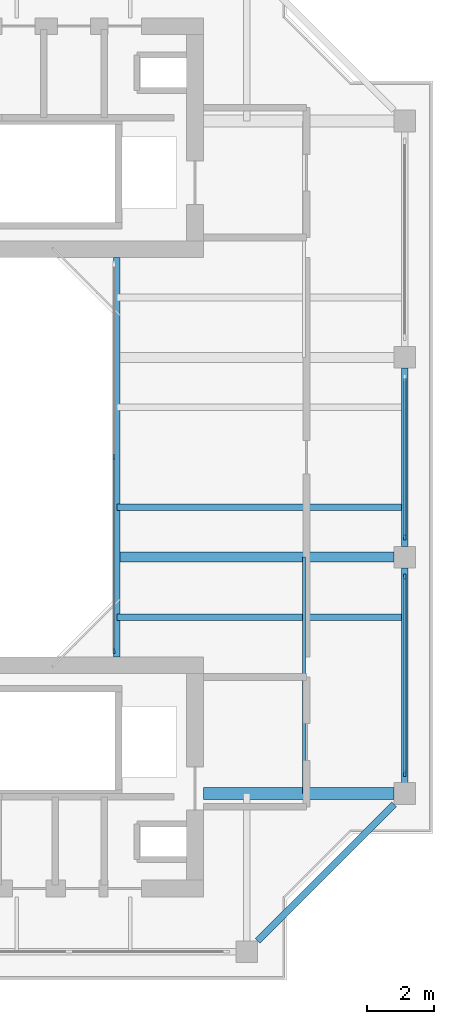
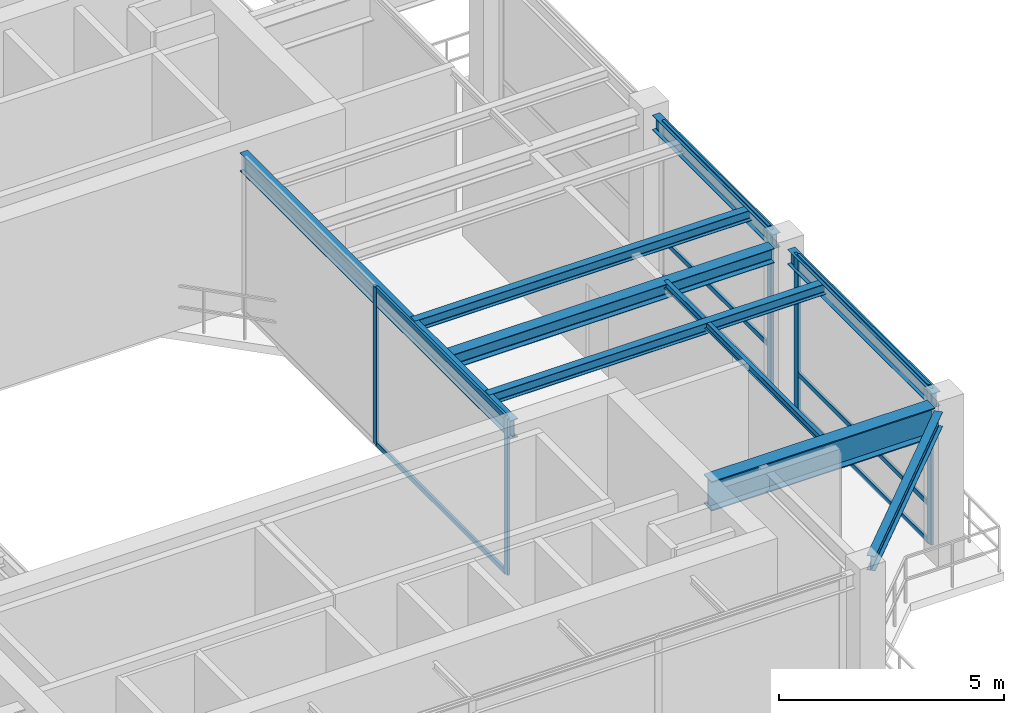
# One storey, part 3 of 9: 13 members, 9 beams, 3 elements without a shape of their own.
"""IFC4 building model written with IfcOpenShell, lengths in metres."""

import ifcopenshell
import ifcopenshell.guid

model = None  # the IFC model being written
_history = None  # IfcOwnerHistory: only IFC2X3 demands one
_inside = {}  # id of a spatial element -> (the spatial element, [elements in it])
_under = {}  # id of a project, library or spatial element -> (it, [spatial elements below it])
_declared = {}  # id of a project -> (the project, [libraries it declares])
_typed = {}  # id of a type object -> (the type object, [elements of that type])
_made_of = {}  # id of a material, layer set ... -> (it, [elements and type objects made of it])


def new_model(schema):
    """Start an empty IFC model of exactly this schema.

    Asked for "IFC4X3", IfcOpenShell would pick the latest addendum, in which some entities
    have other attributes; the version numbers below select the first issue.
    IFC2X3 requires an IfcOwnerHistory on every rooted entity: one is made here for all.
    """
    global model, _history
    if schema == "IFC4X3":
        model = ifcopenshell.file(schema_version=(4, 3, 0, 0))
    else:
        model = ifcopenshell.file(schema=schema)
    _inside.clear()
    _under.clear()
    _declared.clear()
    _typed.clear()
    _made_of.clear()
    _history = None
    if model.schema == "IFC2X3":
        org = make("IfcOrganization", Name="unknown")
        user = make(
            "IfcPersonAndOrganization",
            ThePerson=make("IfcPerson", FamilyName="unknown"),
            TheOrganization=org,
        )
        app = make(
            "IfcApplication",
            ApplicationDeveloper=org,
            Version="unknown",
            ApplicationFullName="unknown",
            ApplicationIdentifier="unknown",
        )
        _history = make(
            "IfcOwnerHistory",
            OwningUser=user,
            OwningApplication=app,
            ChangeAction="ADDED",
            CreationDate=0,
        )
    return model


def make(cls, **values):
    """One entity of the class cls with the attributes given. An attribute that is None is left unset."""
    return model.create_entity(
        cls, **{name: value for name, value in values.items() if value is not None}
    )


def rooted(cls, **values):
    """An entity with a GlobalId (a new one), such as an element, a storey or a relation."""
    return make(cls, GlobalId=ifcopenshell.guid.new(), OwnerHistory=_history, **values)


def si_unit(unit_type, name, prefix=None):
    """IfcSIUnit, for example si_unit("LENGTHUNIT", "METRE", prefix="MILLI")."""
    return make("IfcSIUnit", UnitType=unit_type, Prefix=prefix, Name=name)


def assignment(units):
    """IfcUnitAssignment: the units of a project."""
    return None if units is None else make("IfcUnitAssignment", Units=units)


def point(xyz):
    """IfcCartesianPoint."""
    return None if xyz is None else make("IfcCartesianPoint", Coordinates=xyz)


def direction(xyz):
    """IfcDirection."""
    return None if xyz is None else make("IfcDirection", DirectionRatios=xyz)


def frame(location, z_axis=None, x_axis=None):
    """IfcAxis2Placement3D, a coordinate frame: its origin and axes. An axis left out is left unset."""
    return make(
        "IfcAxis2Placement3D",
        Location=point(location),
        Axis=direction(z_axis),
        RefDirection=direction(x_axis),
    )


def frame_2d(location, x_axis=None):
    """IfcAxis2Placement2D, a coordinate frame in the plane: its origin and x axis."""
    return make(
        "IfcAxis2Placement2D", Location=point(location), RefDirection=direction(x_axis)
    )


def origin():
    """The frame at (0, 0, 0) with its axes left unset."""
    return frame((0.0, 0.0, 0.0))


def origin_2d():
    """The frame at (0, 0) in the plane with its x axis left unset."""
    return frame_2d((0.0, 0.0))


def place(relative_to, where):
    """IfcLocalPlacement: puts the frame where relative to a parent placement (None: the world)."""
    return make(
        "IfcLocalPlacement", PlacementRelTo=relative_to, RelativePlacement=where
    )


def context(
    kind, dimensions, precision=None, world=None, true_north=None, identifier=None
):
    """IfcGeometricRepresentationContext, for example the 3D "Model" context."""
    return make(
        "IfcGeometricRepresentationContext",
        ContextIdentifier=identifier,
        ContextType=kind,
        CoordinateSpaceDimension=dimensions,
        Precision=precision,
        WorldCoordinateSystem=world,
        TrueNorth=true_north,
    )


def subcontext(parent, identifier, kind, view, scale=None):
    """IfcGeometricRepresentationSubContext, for example "Body" below "Model"."""
    return make(
        "IfcGeometricRepresentationSubContext",
        ContextIdentifier=identifier,
        ContextType=kind,
        ParentContext=parent,
        TargetScale=scale,
        TargetView=view,
    )


def project(units=None, contexts=None):
    """IfcProject with its units and contexts."""
    return rooted(
        "IfcProject",
        Name="project",
        RepresentationContexts=contexts,
        UnitsInContext=assignment(units),
    )


def spatial(cls, under=None, at=None, **own):
    """A site, building, storey or space (cls), placed at a placement, below another one or the project."""
    s = rooted(cls, ObjectPlacement=at, **own)
    if under is not None:
        _under.setdefault(under.id(), (under, []))[1].append(s)
    return s


def profile(cls, at=None, kind="AREA", **sizes):
    """A parametric profile (cls). Its sizes go by their IFC names, for example OverallWidth=200.0."""
    return make(cls, ProfileType=kind, Position=at, **sizes)


def rectangle(**sizes):
    """IfcRectangleProfileDef."""
    return profile("IfcRectangleProfileDef", **sizes)


def i_section(**sizes):
    """IfcIShapeProfileDef."""
    return profile("IfcIShapeProfileDef", **sizes)


def extrude(swept, where, along, depth):
    """IfcExtrudedAreaSolid: the profile swept, set in the frame where, extruded along a direction by depth."""
    return make(
        "IfcExtrudedAreaSolid",
        SweptArea=swept,
        Position=where,
        ExtrudedDirection=direction(along),
        Depth=depth,
    )


def shape(context_of_items, identifier, shape_type, items):
    """IfcShapeRepresentation: the items that make up one representation, for example the "Body"."""
    return make(
        "IfcShapeRepresentation",
        ContextOfItems=context_of_items,
        RepresentationIdentifier=identifier,
        RepresentationType=shape_type,
        Items=items,
    )


def source(mapping_origin, context_of_items, identifier, shape_type, items):
    """IfcRepresentationMap: a shape defined once, which mapped items show again and again."""
    return make(
        "IfcRepresentationMap",
        MappingOrigin=mapping_origin,
        MappedRepresentation=shape(context_of_items, identifier, shape_type, items),
    )


def transform(
    local_origin,
    x_axis=None,
    y_axis=None,
    z_axis=None,
    scale=None,
    scale2=None,
    scale3=None,
    uniform=True,
):
    """IfcCartesianTransformationOperator3D, or its non-uniform kind. x_axis, y_axis, z_axis: its Axis1, 2, 3."""
    if uniform:
        return make(
            "IfcCartesianTransformationOperator3D",
            Axis1=direction(x_axis),
            Axis2=direction(y_axis),
            LocalOrigin=point(local_origin),
            Scale=scale,
            Axis3=direction(z_axis),
        )
    return make(
        "IfcCartesianTransformationOperator3DnonUniform",
        Axis1=direction(x_axis),
        Axis2=direction(y_axis),
        LocalOrigin=point(local_origin),
        Scale=scale,
        Axis3=direction(z_axis),
        Scale2=scale2,
        Scale3=scale3,
    )


def mapped(mapping_source, mapping_target):
    """IfcMappedItem: shows the shape of a source again, moved by a transform."""
    return make(
        "IfcMappedItem", MappingSource=mapping_source, MappingTarget=mapping_target
    )


def material(Name=None, Category=None):
    """IfcMaterial."""
    return make("IfcMaterial", Name=Name, Category=Category)


def layer(
    of_material, thickness, ventilated=None, Name=None, Category=None, Priority=None
):
    """IfcMaterialLayer: one layer of a wall or slab, of a material (None: an air gap)."""
    return make(
        "IfcMaterialLayer",
        Material=of_material,
        LayerThickness=thickness,
        IsVentilated=ventilated,
        Name=Name,
        Category=Category,
        Priority=Priority,
    )


def layer_set(layers, Name=None):
    """IfcMaterialLayerSet."""
    return make("IfcMaterialLayerSet", MaterialLayers=layers, LayerSetName=Name)


def material_profile(
    of_material, cross_section, Name=None, Category=None, Priority=None
):
    """IfcMaterialProfile: a cross section and its material."""
    return make(
        "IfcMaterialProfile",
        Name=Name,
        Material=of_material,
        Profile=cross_section,
        Priority=Priority,
        Category=Category,
    )


def profile_set(profiles, Name=None, composite=None):
    """IfcMaterialProfileSet."""
    return make(
        "IfcMaterialProfileSet",
        Name=Name,
        MaterialProfiles=profiles,
        CompositeProfile=composite,
    )


def made_of(thing, what):
    """Note that an element or type object is made of a material, layer set ...; save() writes the relation."""
    if what is not None:
        _made_of.setdefault(what.id(), (what, []))[1].append(thing)
    return thing


def type_object(cls, material=None, **own):
    """A type object (cls), such as IfcWallType, which elements share."""
    return made_of(rooted(cls, **own), material)


def element(
    cls,
    number,
    at=None,
    inside=None,
    cuts=None,
    type_object=None,
    material=None,
    context=None,
    identifier="Body",
    shape_type=None,
    held_by="IfcProductDefinitionShape",
    body=None,
    shapes=None,
    **own,
):
    """One element of the class cls, such as IfcWall. Its Tag is "e" and its number.

    at: its placement. inside: the storey or other place that contains it. cuts: it is an
    opening in that element (IfcRelVoidsElement). A single representation is given by context,
    identifier, shape_type and body (its items); several are given by shapes. held_by: the class
    of the entity that holds the representations. save() writes the other relations.
    """
    e = rooted(cls, Tag="e%d" % number, ObjectPlacement=at, **own)
    if body is not None:
        shapes = [shape(context, identifier, shape_type, body)]
    if shapes is not None:
        e.Representation = make(held_by, Representations=shapes)
    if inside is not None:
        _inside.setdefault(inside.id(), (inside, []))[1].append(e)
    if cuts is not None:
        rooted(
            "IfcRelVoidsElement", RelatingBuildingElement=cuts, RelatedOpeningElement=e
        )
    if type_object is not None:
        _typed.setdefault(type_object.id(), (type_object, []))[1].append(e)
    return made_of(e, material)


def aggregate(whole, parts):
    """IfcRelAggregates: a whole, such as a stair, and the parts it consists of."""
    return rooted("IfcRelAggregates", RelatingObject=whole, RelatedObjects=parts)


def save(model, path):
    """Write the relations noted so far, then the file.

    IfcRelAggregates (storeys below a building ...), IfcRelContainedInSpatialStructure (elements
    in a storey), IfcRelDefinesByType, IfcRelAssociatesMaterial and IfcRelDeclares: one each for
    every whole, place, type object, material and project.
    """
    for whole, parts in _under.values():
        aggregate(whole, parts)
    for where, things in _inside.values():
        rooted(
            "IfcRelContainedInSpatialStructure",
            RelatedElements=things,
            RelatingStructure=where,
        )
    for kind, things in _typed.values():
        rooted("IfcRelDefinesByType", RelatedObjects=things, RelatingType=kind)
    for what, things in _made_of.values():
        rooted("IfcRelAssociatesMaterial", RelatedObjects=things, RelatingMaterial=what)
    for by, libraries in _declared.values():
        rooted("IfcRelDeclares", RelatingContext=by, RelatedDefinitions=libraries)
    model.write(path)


model = new_model("IFC4")

# Units and contexts
model_context = context("Model", 3, precision=1e-05, world=origin(), true_north=direction((0.0, 1.0)))
body_context = subcontext(model_context, "Body", "Model", "MODEL_VIEW")
ifc_project = project(units=[si_unit("LENGTHUNIT", "METRE"), si_unit("AREAUNIT", "SQUARE_METRE"), si_unit("VOLUMEUNIT", "CUBIC_METRE"), si_unit("PLANEANGLEUNIT", "RADIAN"), si_unit("MASSUNIT", "GRAM", prefix="KILO"), si_unit("THERMODYNAMICTEMPERATUREUNIT", "KELVIN"), si_unit("POWERUNIT", "WATT")], contexts=[model_context])

# Site, building, storey
site_placement = place(None, origin())
site = spatial("IfcSite", under=ifc_project, at=site_placement, CompositionType="ELEMENT")
building_placement = place(site_placement, origin())
building = spatial("IfcBuilding", under=site, at=building_placement, Name="Qiaomeng Ring Towers", CompositionType="ELEMENT")
storey_placement = place(building_placement, frame((0.0, 0.0, 263.25)))
storey = spatial("IfcBuildingStorey", under=building, at=storey_placement, Name="L77", CompositionType="ELEMENT", Elevation=263.25)

# Beams
ifc_material_1 = material(Name="Steel Q355B", Category="steel")
ifc_material_profile_1 = material_profile(ifc_material_1, i_section(OverallWidth=0.199951171875, OverallDepth=0.5, WebThickness=0.010009765625, FlangeThickness=0.01611328125, FilletRadius=0.02001953125, at=origin_2d()), Name="HN 500x200x10x16")
ifc_profile_set_1 = profile_set([ifc_material_profile_1], Name="Steel Q355B")
beam_type_1 = type_object("IfcBeamType", Name="STR-BM-HN500", PredefinedType="BEAM", material=ifc_profile_set_1)
shared_shape_1 = source(origin(), body_context, "Body", "SweptSolid", [
    extrude(i_section(OverallWidth=0.199951171875, OverallDepth=0.5, WebThickness=0.010009765625, FlangeThickness=0.01611328125, FilletRadius=0.02001953125, at=origin_2d()), origin(), (0.0, 0.0, 1.0), 12.0),
])
beam_1_placement = place(storey_placement, frame((25.199951171875, 17.0, 4.0), z_axis=(0.0, 1.0, 0.0), x_axis=(-1.0, 0.0, 0.0)))
element("IfcBeam", 1, at=beam_1_placement, inside=storey, type_object=beam_type_1, Name="L77 beam STR-BM-L77-WELL-E", PredefinedType="BEAM", context=body_context, shape_type="MappedRepresentation", body=[
    mapped(shared_shape_1, transform((0.0, 0.0, 0.0), x_axis=(1.0, 0.0, 0.0), y_axis=(0.0, 1.0, 0.0), z_axis=(0.0, 0.0, 1.0), scale=1.0)),
])
ifc_material_profile_2 = material_profile(ifc_material_1, i_section(OverallWidth=0.198974609375, OverallDepth=0.39599609375, WebThickness=0.007080078125, FlangeThickness=0.010986328125, FilletRadius=0.01611328125, at=origin_2d()), Name="HN 396x199x7x11")
ifc_profile_set_2 = profile_set([ifc_material_profile_2], Name="Steel Q355B")
beam_type_2 = type_object("IfcBeamType", Name="STR-BM-HN396", PredefinedType="SPANDREL", material=ifc_profile_set_2)
shared_shape_2 = source(origin(), body_context, "Body", "SweptSolid", [
    extrude(i_section(OverallWidth=0.198974609375, OverallDepth=0.39599609375, WebThickness=0.007080078125, FlangeThickness=0.010986328125, FilletRadius=0.01611328125, at=origin_2d()), origin(), (0.0, 0.0, 1.0), 5.800048828125),
])
beam_2_placement = place(storey_placement, frame((29.42431640625, 8.474365234375, 4.052001953125), z_axis=(0.707106781187, 0.707106781187, 0.0), x_axis=(-0.707106781187, 0.707106781187, 0.0)))
element("IfcBeam", 2, at=beam_2_placement, inside=storey, type_object=beam_type_2, Name="L77 beam STR-SP-L77-T1-S2-E1", PredefinedType="SPANDREL", context=body_context, shape_type="MappedRepresentation", body=[
    mapped(shared_shape_2, transform((0.0, 0.0, 0.0), x_axis=(1.0, 0.0, 0.0), y_axis=(0.0, 1.0, 0.0), z_axis=(0.0, 0.0, 1.0), scale=1.0)),
])
shared_shape_3 = source(origin(), body_context, "Body", "SweptSolid", [
    extrude(i_section(OverallWidth=0.198974609375, OverallDepth=0.39599609375, WebThickness=0.007080078125, FlangeThickness=0.010986328125, FilletRadius=0.01611328125, at=origin_2d()), origin(), (0.0, 0.0, 1.0), 6.451904296875),
])
beam_3_placement = place(storey_placement, frame((33.85009765625, 13.22412109375, 4.052001953125), z_axis=(0.0, 1.0, 0.0), x_axis=(-1.0, 0.0, 0.0)))
element("IfcBeam", 3, at=beam_3_placement, inside=storey, type_object=beam_type_2, Name="L77 beam STR-SP-L77-T1-E1-E2", PredefinedType="SPANDREL", context=body_context, shape_type="MappedRepresentation", body=[
    mapped(shared_shape_3, transform((0.0, 0.0, 0.0), x_axis=(1.0, 0.0, 0.0), y_axis=(0.0, 1.0, 0.0), z_axis=(0.0, 0.0, 1.0), scale=1.0)),
])
shared_shape_4 = source(origin(), body_context, "Body", "SweptSolid", [
    extrude(i_section(OverallWidth=0.198974609375, OverallDepth=0.39599609375, WebThickness=0.007080078125, FlangeThickness=0.010986328125, FilletRadius=0.01611328125, at=origin_2d()), origin(), (0.0, 0.0, 1.0), 5.35205078125),
])
beam_4_placement = place(storey_placement, frame((33.85009765625, 20.323974609375, 4.052001953125), z_axis=(0.0, 1.0, 0.0), x_axis=(-1.0, 0.0, 0.0)))
element("IfcBeam", 4, at=beam_4_placement, inside=storey, type_object=beam_type_2, Name="L77 beam STR-SP-L77-T1-E2-E3", PredefinedType="SPANDREL", context=body_context, shape_type="MappedRepresentation", body=[
    mapped(shared_shape_4, transform((0.0, 0.0, 0.0), x_axis=(1.0, 0.0, 0.0), y_axis=(0.0, 1.0, 0.0), z_axis=(0.0, 0.0, 1.0), scale=1.0)),
])
ifc_material_2 = material(Name="Steel Q390GJC", Category="steel")
ifc_material_profile_3 = material_profile(ifc_material_2, i_section(OverallWidth=0.35009765625, OverallDepth=0.800048828125, WebThickness=0.01611328125, FlangeThickness=0.028076171875, at=origin_2d()), Name="WH 800x350x16x28")
ifc_profile_set_3 = profile_set([ifc_material_profile_3], Name="Steel Q390GJC")
beam_type_3 = type_object("IfcBeamType", Name="STR-BM-WH800", PredefinedType="BEAM", material=ifc_profile_set_3)
shared_shape_5 = source(origin(), body_context, "Body", "SweptSolid", [
    extrude(i_section(OverallWidth=0.35009765625, OverallDepth=0.800048828125, WebThickness=0.01611328125, FlangeThickness=0.028076171875, at=origin_2d()), origin(), (0.0, 0.0, 1.0), 5.725830078125),
])
beam_5_placement = place(storey_placement, frame((27.800048828125, 12.89990234375, 3.85009765625), z_axis=(1.0, 0.0, 0.0), x_axis=(0.0, 1.0, 0.0)))
element("IfcBeam", 5, at=beam_5_placement, inside=storey, type_object=beam_type_3, Name="L77 beam STR-BM-L77-T1-RAD-E1", PredefinedType="BEAM", context=body_context, shape_type="MappedRepresentation", body=[
    mapped(shared_shape_5, transform((0.0, 0.0, 0.0), x_axis=(1.0, 0.0, 0.0), y_axis=(0.0, 1.0, 0.0), z_axis=(0.0, 0.0, 1.0), scale=1.0)),
])
ifc_material_profile_4 = material_profile(ifc_material_1, i_section(OverallWidth=0.300048828125, OverallDepth=0.389892578125, WebThickness=0.010009765625, FlangeThickness=0.01611328125, FilletRadius=0.02197265625, at=origin_2d()), Name="HM 390x300x10x16")
ifc_profile_set_4 = profile_set([ifc_material_profile_4], Name="Steel Q355B")
beam_type_4 = type_object("IfcBeamType", Name="STR-BM-HM390", PredefinedType="BEAM", material=ifc_profile_set_4)
shared_shape_6 = source(origin(), body_context, "Body", "SweptSolid", [
    extrude(i_section(OverallWidth=0.300048828125, OverallDepth=0.389892578125, WebThickness=0.010009765625, FlangeThickness=0.01611328125, FilletRadius=0.02197265625, at=origin_2d()), origin(), (0.0, 0.0, 1.0), 8.325927734375),
])
beam_6_placement = place(storey_placement, frame((25.199951171875, 20.0, 4.054931640625), z_axis=(1.0, 0.0, 0.0), x_axis=(0.0, 1.0, 0.0)))
element("IfcBeam", 6, at=beam_6_placement, inside=storey, type_object=beam_type_4, Name="L77 beam STR-BM-L77-T1-RAD-E2", PredefinedType="BEAM", context=body_context, shape_type="MappedRepresentation", body=[
    mapped(shared_shape_6, transform((0.0, 0.0, 0.0), x_axis=(1.0, 0.0, 0.0), y_axis=(0.0, 1.0, 0.0), z_axis=(0.0, 0.0, 1.0), scale=1.0)),
])
ifc_material_profile_5 = material_profile(ifc_material_1, i_section(OverallWidth=0.199951171875, OverallDepth=0.2939453125, WebThickness=0.008056640625, FlangeThickness=0.011962890625, FilletRadius=0.01806640625, at=origin_2d()), Name="HM 294x200x8x12")
ifc_profile_set_5 = profile_set([ifc_material_profile_5], Name="Steel Q355B")
beam_type_5 = type_object("IfcBeamType", Name="STR-BM-HM294", PredefinedType="JOIST", material=ifc_profile_set_5)
shared_shape_7 = source(origin(), body_context, "Body", "SweptSolid", [
    extrude(i_section(OverallWidth=0.199951171875, OverallDepth=0.2939453125, WebThickness=0.008056640625, FlangeThickness=0.011962890625, FilletRadius=0.01806640625, at=origin_2d()), origin(), (0.0, 0.0, 1.0), 8.650146484375),
])
for number, where, z_axis, x_axis, name in (
    (7, (25.199951171875, 18.199951171875, 4.10302734375), (1.0, 0.0, 0.0), (0.0, 1.0, 0.0), "L77 beam STR-JST-L77-T1E-1"),
    (8, (25.199951171875, 21.5, 4.10302734375), (1.0, 0.0, 0.0), (0.0, 1.0, 0.0), "L77 beam STR-JST-L77-T1E-2"),
):
    element("IfcBeam", number, at=place(storey_placement, frame(where, z_axis=z_axis, x_axis=x_axis)), inside=storey, type_object=beam_type_5, Name=name, PredefinedType="JOIST", context=body_context, shape_type="MappedRepresentation", body=[
        mapped(shared_shape_7, transform((0.0, 0.0, 0.0), x_axis=(1.0, 0.0, 0.0), y_axis=(0.0, 1.0, 0.0), z_axis=(0.0, 0.0, 1.0), scale=1.0)),
    ])
ifc_material_profile_6 = material_profile(ifc_material_1, i_section(OverallWidth=0.10009765625, OverallDepth=0.199951171875, WebThickness=0.005615234375, FlangeThickness=0.008056640625, FilletRadius=0.010986328125, at=origin_2d()), Name="HN 200x100x5.5x8")
ifc_profile_set_6 = profile_set([ifc_material_profile_6], Name="Steel Q355B")
beam_type_6 = type_object("IfcBeamType", Name="STR-BM-HN200", PredefinedType="JOIST", material=ifc_profile_set_6)
shared_shape_8 = source(origin(), body_context, "Body", "SweptSolid", [
    extrude(i_section(OverallWidth=0.10009765625, OverallDepth=0.199951171875, WebThickness=0.005615234375, FlangeThickness=0.008056640625, FilletRadius=0.010986328125, at=origin_2d()), origin(), (0.0, 0.0, 1.0), 7.10009765625),
])
beam_7_placement = place(storey_placement, frame((30.824951171875, 12.89990234375, 4.14990234375), z_axis=(0.0, 1.0, 0.0), x_axis=(-1.0, 0.0, 0.0)))
element("IfcBeam", 9, at=beam_7_placement, inside=storey, type_object=beam_type_6, Name="L77 beam STR-JST-L77-T1C-ES", PredefinedType="JOIST", context=body_context, shape_type="MappedRepresentation", body=[
    mapped(shared_shape_8, transform((0.0, 0.0, 0.0), x_axis=(1.0, 0.0, 0.0), y_axis=(0.0, 1.0, 0.0), z_axis=(0.0, 0.0, 1.0), scale=1.0)),
])

# Curtain wall, members
ifc_material_3 = material(Name="Fluorocarbon dark-grey aluminium", Category="aluminium")
ifc_layer_1 = layer(ifc_material_3, 0.139892578125, Name="Fluorocarbon dark-grey aluminium")
ifc_layer_set_1 = layer_set([ifc_layer_1], Name="Fluorocarbon dark-grey aluminium")
curtain_wall_type_1 = type_object("IfcCurtainWallType", Name="ARC-CW-4", PredefinedType="NOTDEFINED", material=ifc_layer_set_1)
curtain_wall_1_placement = place(storey_placement, origin())
curtain_wall_1 = element("IfcCurtainWall", 10, at=curtain_wall_1_placement, inside=storey, type_object=curtain_wall_type_1, Name="L77 Curtain Wall CW4", PredefinedType="NOTDEFINED")
ifc_material_profile_7 = material_profile(ifc_material_3, rectangle(XDim=0.06494140625, YDim=0.1298828125, at=origin_2d()), Name="ALU TRAN 65x130")
ifc_profile_set_7 = profile_set([ifc_material_profile_7], Name="Fluorocarbon dark-grey aluminium")
member_type_1 = type_object("IfcMemberType", Name="ARC-CWT-120", PredefinedType="USERDEFINED", material=ifc_profile_set_7)
shared_shape_9 = source(origin(), body_context, "Body", "SweptSolid", [
    extrude(rectangle(XDim=0.06494140625, YDim=0.1298828125, at=origin_2d()), origin(), (0.0, 0.0, 1.0), 5.75244140625),
])
member_1_placement = place(storey_placement, frame((25.1201171875, 17.215087890625, 0.032470703125), z_axis=(0.0, 1.0, 0.0), x_axis=(-1.0, 0.0, 0.0)))
member_1 = element("IfcMember", 11, at=member_1_placement, type_object=member_type_1, Name="CW4 transom 1.1", ObjectType="TRANSOM", PredefinedType="USERDEFINED", context=body_context, shape_type="MappedRepresentation", body=[
    mapped(shared_shape_9, transform((0.0, 0.0, 0.0), x_axis=(1.0, 0.0, 0.0), y_axis=(0.0, 1.0, 0.0), z_axis=(0.0, 0.0, 1.0), scale=1.0)),
])
member_2_placement = place(storey_placement, frame((25.1201171875, 17.215087890625, 4.217529296875), z_axis=(0.0, 1.0, 0.0), x_axis=(-1.0, 0.0, 0.0)))
member_2 = element("IfcMember", 12, at=member_2_placement, type_object=member_type_1, Name="CW4 transom 1.2", ObjectType="TRANSOM", PredefinedType="USERDEFINED", context=body_context, shape_type="MappedRepresentation", body=[
    mapped(shared_shape_9, transform((0.0, 0.0, 0.0), x_axis=(1.0, 0.0, 0.0), y_axis=(0.0, 1.0, 0.0), z_axis=(0.0, 0.0, 1.0), scale=1.0)),
])
ifc_material_profile_8 = material_profile(ifc_material_3, rectangle(XDim=0.06494140625, YDim=0.159912109375, at=origin_2d()), Name="ALU MULL 65x160")
ifc_profile_set_8 = profile_set([ifc_material_profile_8], Name="Fluorocarbon dark-grey aluminium")
member_type_2 = type_object("IfcMemberType", Name="ARC-CWM-140", PredefinedType="MULLION", material=ifc_profile_set_8)
shared_shape_10 = source(origin(), body_context, "Body", "SweptSolid", [
    extrude(rectangle(XDim=0.06494140625, YDim=0.159912109375, at=origin_2d()), origin(), (0.0, 0.0, 1.0), 4.25),
])
member_3_placement = place(storey_placement, frame((25.1201171875, 17.1826171875, 0.0), z_axis=(0.0, 0.0, 1.0), x_axis=(-1.0, 0.0, 0.0)))
member_3 = element("IfcMember", 13, at=member_3_placement, type_object=member_type_2, Name="CW4 mullion 1", PredefinedType="MULLION", context=body_context, shape_type="MappedRepresentation", body=[
    mapped(shared_shape_10, transform((0.0, 0.0, 0.0), x_axis=(1.0, 0.0, 0.0), y_axis=(0.0, 1.0, 0.0), z_axis=(0.0, 0.0, 1.0), scale=1.0)),
])
member_4_placement = place(storey_placement, frame((25.1201171875, 23.0, 0.0), z_axis=(0.0, 0.0, 1.0), x_axis=(-1.0, 0.0, 0.0)))
member_4 = element("IfcMember", 14, at=member_4_placement, type_object=member_type_2, Name="CW4 mullion 2", PredefinedType="MULLION", context=body_context, shape_type="MappedRepresentation", body=[
    mapped(shared_shape_10, transform((0.0, 0.0, 0.0), x_axis=(1.0, 0.0, 0.0), y_axis=(0.0, 1.0, 0.0), z_axis=(0.0, 0.0, 1.0), scale=1.0)),
])
aggregate(curtain_wall_1, [member_3, member_4, member_1, member_2])

ifc_layer_2 = layer(ifc_material_3, 0.169921875, Name="Fluorocarbon dark-grey aluminium")
ifc_layer_set_2 = layer_set([ifc_layer_2], Name="Fluorocarbon dark-grey aluminium")
curtain_wall_type_2 = type_object("IfcCurtainWallType", Name="ARC-CW-6", PredefinedType="NOTDEFINED", material=ifc_layer_set_2)
curtain_wall_2_placement = place(storey_placement, origin())
curtain_wall_2 = element("IfcCurtainWall", 15, at=curtain_wall_2_placement, inside=storey, type_object=curtain_wall_type_2, Name="L77 Curtain Wall CW6", PredefinedType="NOTDEFINED")
ifc_material_profile_9 = material_profile(ifc_material_3, rectangle(XDim=0.070068359375, YDim=0.179931640625, at=origin_2d()), Name="ALU MULL 70x180")
ifc_profile_set_9 = profile_set([ifc_material_profile_9], Name="Fluorocarbon dark-grey aluminium")
member_type_3 = type_object("IfcMemberType", Name="ARC-CWM-160", PredefinedType="MULLION", material=ifc_profile_set_9)
shared_shape_11 = source(origin(), body_context, "Body", "SweptSolid", [
    extrude(rectangle(XDim=0.070068359375, YDim=0.179931640625, at=origin_2d()), origin(), (0.0, 0.0, 1.0), 4.25),
])
member_5_placement = place(storey_placement, frame((33.85009765625, 13.5, 0.0), z_axis=(0.0, 0.0, 1.0), x_axis=(-1.0, 0.0, 0.0)))
member_5 = element("IfcMember", 16, at=member_5_placement, type_object=member_type_3, Name="CW6 mullion 1", PredefinedType="MULLION", context=body_context, shape_type="MappedRepresentation", body=[
    mapped(shared_shape_11, transform((0.0, 0.0, 0.0), x_axis=(1.0, 0.0, 0.0), y_axis=(0.0, 1.0, 0.0), z_axis=(0.0, 0.0, 1.0), scale=1.0)),
])
member_6_placement = place(storey_placement, frame((33.85009765625, 19.39990234375, 0.0), z_axis=(0.0, 0.0, 1.0), x_axis=(-1.0, 0.0, 0.0)))
member_6 = element("IfcMember", 17, at=member_6_placement, type_object=member_type_3, Name="CW6 mullion 2", PredefinedType="MULLION", context=body_context, shape_type="MappedRepresentation", body=[
    mapped(shared_shape_11, transform((0.0, 0.0, 0.0), x_axis=(1.0, 0.0, 0.0), y_axis=(0.0, 1.0, 0.0), z_axis=(0.0, 0.0, 1.0), scale=1.0)),
])

# Curtain wall, member
curtain_wall_3_placement = place(storey_placement, origin())
curtain_wall_3 = element("IfcCurtainWall", 18, at=curtain_wall_3_placement, inside=storey, type_object=curtain_wall_type_2, Name="L77 Curtain Wall CW6", PredefinedType="NOTDEFINED")
member_7_placement = place(storey_placement, frame((33.85009765625, 20.60009765625, 0.0), z_axis=(0.0, 0.0, 1.0), x_axis=(-1.0, 0.0, 0.0)))
member_7 = element("IfcMember", 19, at=member_7_placement, type_object=member_type_3, Name="CW6 mullion 1", PredefinedType="MULLION", context=body_context, shape_type="MappedRepresentation", body=[
    mapped(shared_shape_11, transform((0.0, 0.0, 0.0), x_axis=(1.0, 0.0, 0.0), y_axis=(0.0, 1.0, 0.0), z_axis=(0.0, 0.0, 1.0), scale=1.0)),
])

# Member
shared_shape_12 = source(origin(), body_context, "Body", "SweptSolid", [
    extrude(rectangle(XDim=0.06494140625, YDim=0.1298828125, at=origin_2d()), origin(), (0.0, 0.0, 1.0), 5.830078125),
])
member_8_placement = place(storey_placement, frame((33.85009765625, 13.534912109375, 0.032470703125), z_axis=(0.0, 1.0, 0.0), x_axis=(-1.0, 0.0, 0.0)))
member_8 = element("IfcMember", 20, at=member_8_placement, type_object=member_type_1, Name="CW6 transom 1.1", ObjectType="TRANSOM", PredefinedType="USERDEFINED", context=body_context, shape_type="MappedRepresentation", body=[
    mapped(shared_shape_12, transform((0.0, 0.0, 0.0), x_axis=(1.0, 0.0, 0.0), y_axis=(0.0, 1.0, 0.0), z_axis=(0.0, 0.0, 1.0), scale=1.0)),
])

member_9_placement = place(storey_placement, frame((33.85009765625, 13.534912109375, 1.050048828125), z_axis=(0.0, 1.0, 0.0), x_axis=(-1.0, 0.0, 0.0)))
member_9 = element("IfcMember", 21, at=member_9_placement, type_object=member_type_1, Name="CW6 transom 1.2", ObjectType="TRANSOM", PredefinedType="USERDEFINED", context=body_context, shape_type="MappedRepresentation", body=[
    mapped(shared_shape_12, transform((0.0, 0.0, 0.0), x_axis=(1.0, 0.0, 0.0), y_axis=(0.0, 1.0, 0.0), z_axis=(0.0, 0.0, 1.0), scale=1.0)),
])

member_10_placement = place(storey_placement, frame((33.85009765625, 13.534912109375, 4.217529296875), z_axis=(0.0, 1.0, 0.0), x_axis=(-1.0, 0.0, 0.0)))
member_10 = element("IfcMember", 22, at=member_10_placement, type_object=member_type_1, Name="CW6 transom 1.3", ObjectType="TRANSOM", PredefinedType="USERDEFINED", context=body_context, shape_type="MappedRepresentation", body=[
    mapped(shared_shape_12, transform((0.0, 0.0, 0.0), x_axis=(1.0, 0.0, 0.0), y_axis=(0.0, 1.0, 0.0), z_axis=(0.0, 0.0, 1.0), scale=1.0)),
])

aggregate(curtain_wall_2, [member_5, member_6, member_8, member_9, member_10])

shared_shape_13 = source(origin(), body_context, "Body", "SweptSolid", [
    extrude(rectangle(XDim=0.06494140625, YDim=0.1298828125, at=origin_2d()), origin(), (0.0, 0.0, 1.0), 4.72998046875),
])
member_11_placement = place(storey_placement, frame((33.85009765625, 20.635009765625, 0.032470703125), z_axis=(0.0, 1.0, 0.0), x_axis=(-1.0, 0.0, 0.0)))
member_11 = element("IfcMember", 23, at=member_11_placement, type_object=member_type_1, Name="CW6 transom 1.1", ObjectType="TRANSOM", PredefinedType="USERDEFINED", context=body_context, shape_type="MappedRepresentation", body=[
    mapped(shared_shape_13, transform((0.0, 0.0, 0.0), x_axis=(1.0, 0.0, 0.0), y_axis=(0.0, 1.0, 0.0), z_axis=(0.0, 0.0, 1.0), scale=1.0)),
])

member_12_placement = place(storey_placement, frame((33.85009765625, 20.635009765625, 1.050048828125), z_axis=(0.0, 1.0, 0.0), x_axis=(-1.0, 0.0, 0.0)))
member_12 = element("IfcMember", 24, at=member_12_placement, type_object=member_type_1, Name="CW6 transom 1.2", ObjectType="TRANSOM", PredefinedType="USERDEFINED", context=body_context, shape_type="MappedRepresentation", body=[
    mapped(shared_shape_13, transform((0.0, 0.0, 0.0), x_axis=(1.0, 0.0, 0.0), y_axis=(0.0, 1.0, 0.0), z_axis=(0.0, 0.0, 1.0), scale=1.0)),
])

member_13_placement = place(storey_placement, frame((33.85009765625, 20.635009765625, 4.217529296875), z_axis=(0.0, 1.0, 0.0), x_axis=(-1.0, 0.0, 0.0)))
member_13 = element("IfcMember", 25, at=member_13_placement, type_object=member_type_1, Name="CW6 transom 1.3", ObjectType="TRANSOM", PredefinedType="USERDEFINED", context=body_context, shape_type="MappedRepresentation", body=[
    mapped(shared_shape_13, transform((0.0, 0.0, 0.0), x_axis=(1.0, 0.0, 0.0), y_axis=(0.0, 1.0, 0.0), z_axis=(0.0, 0.0, 1.0), scale=1.0)),
])

aggregate(curtain_wall_3, [member_7, member_11, member_12, member_13])

save(model, "model.ifc")
